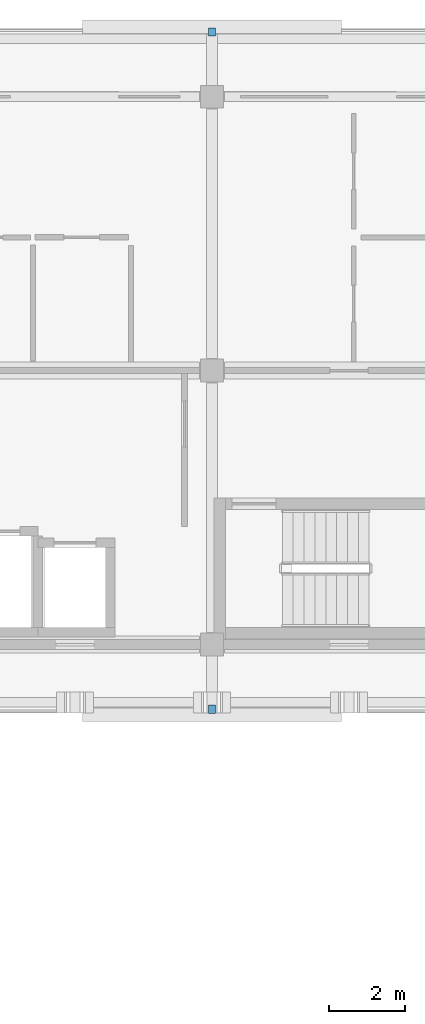
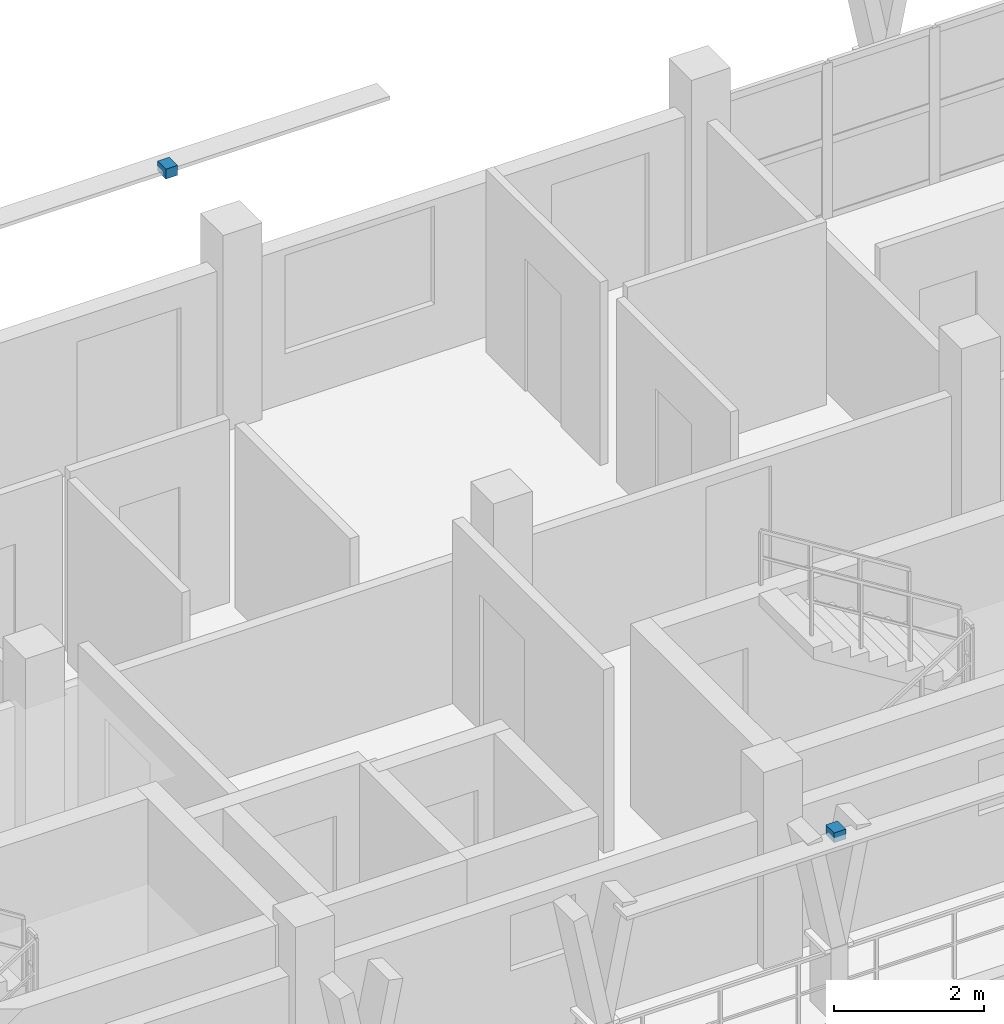
# One storey, part 56 of 73: 2 discrete accessories.
"""IFC4 building model written with IfcOpenShell, lengths in metres."""

from ifc_helpers import new_model, si_unit, direction, frame, origin, origin_2d, place, context, subcontext, project, spatial, rectangle, extrude, material, type_object, element, save


model = new_model("IFC4")

# Units and contexts
model_context = context("Model", 3, precision=1e-05, world=origin(), true_north=direction((0.0, 1.0)))
body_context = subcontext(model_context, "Body", "Model", "MODEL_VIEW")
ifc_project = project(units=[si_unit("LENGTHUNIT", "METRE"), si_unit("AREAUNIT", "SQUARE_METRE"), si_unit("VOLUMEUNIT", "CUBIC_METRE"), si_unit("PLANEANGLEUNIT", "RADIAN"), si_unit("MASSUNIT", "GRAM", prefix="KILO")], contexts=[model_context])

# Site, building, storey
site_placement = place(None, origin())
site = spatial("IfcSite", under=ifc_project, at=site_placement, CompositionType="ELEMENT")
building_placement = place(site_placement, origin())
building = spatial("IfcBuilding", under=site, at=building_placement, Name="Suanplinth Sawtooth Commons", CompositionType="ELEMENT")
storey_placement = place(building_placement, frame((0.0, 0.0, 21.89990234375)))
storey = spatial("IfcBuildingStorey", under=building, at=storey_placement, Name="L06", CompositionType="ELEMENT", Elevation=21.89990234375)

# Discrete accessories
ifc_material = material(Name="Stainless steel Grade 316", Category="steel")
discrete_accessory_type = type_object("IfcDiscreteAccessoryType", Name="ACC-01", PredefinedType="BRACKET", material=ifc_material)
for number, where, z_axis, x_axis, name in (
    (1, (57.60009765625, 124.10009765625, 2.89990234375), (0.0, 0.0, 1.0), (1.0, 0.0, 0.0), "Louvre Fixing Bracket L06-A-1"),
    (2, (57.60009765625, 106.300048828125, 2.89990234375), (0.0, 0.0, 1.0), (1.0, 0.0, 0.0), "Louvre Fixing Bracket L06-A-2"),
):
    element("IfcDiscreteAccessory", number, at=place(storey_placement, frame(where, z_axis=z_axis, x_axis=x_axis)), inside=storey, type_object=discrete_accessory_type, Name=name, PredefinedType="BRACKET", context=body_context, shape_type="SweptSolid", body=[
        extrude(rectangle(XDim=0.179931640625, YDim=0.219970703125, at=origin_2d()), origin(), (0.0, 0.0, 1.0), 0.159912109375),
    ])

save(model, "model.ifc")
